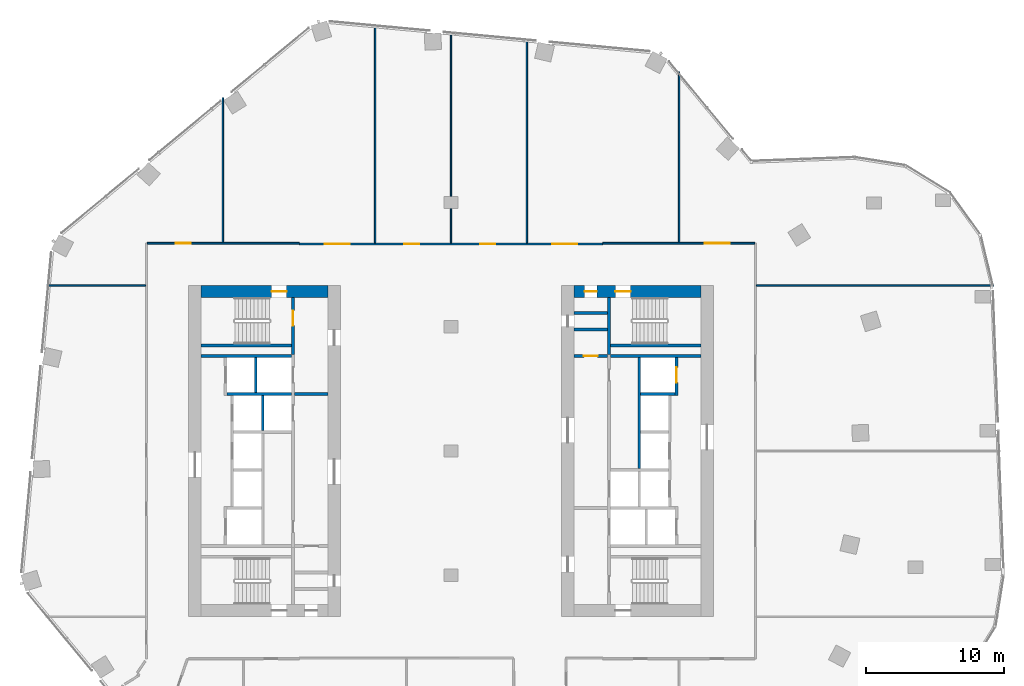
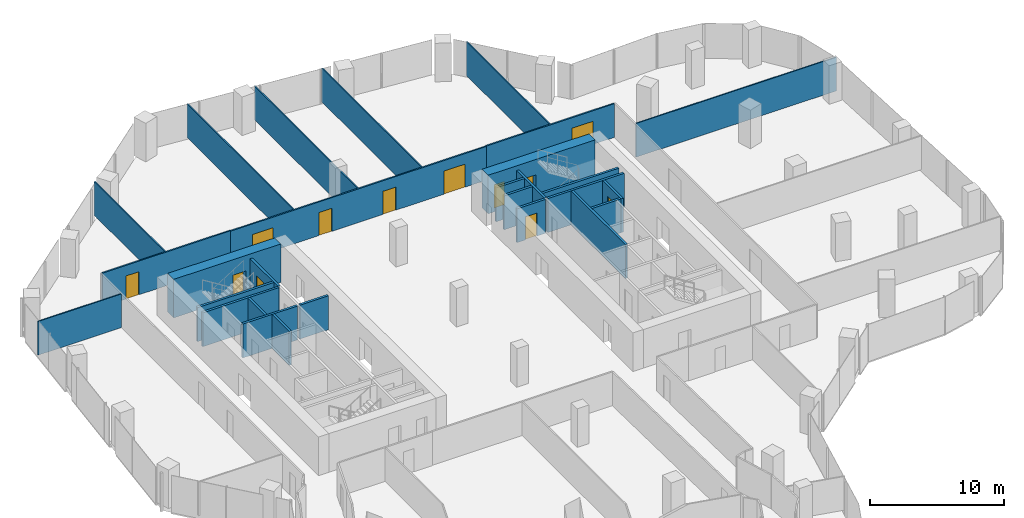
# One storey, part 22 of 24: 28 walls, 12 doors, 12 openings.
"""IFC4 building model written with IfcOpenShell, lengths in metres."""

import ifcopenshell
import ifcopenshell.guid

model = None  # the IFC model being written
_history = None  # IfcOwnerHistory: only IFC2X3 demands one
_inside = {}  # id of a spatial element -> (the spatial element, [elements in it])
_under = {}  # id of a project, library or spatial element -> (it, [spatial elements below it])
_declared = {}  # id of a project -> (the project, [libraries it declares])
_typed = {}  # id of a type object -> (the type object, [elements of that type])
_made_of = {}  # id of a material, layer set ... -> (it, [elements and type objects made of it])


def new_model(schema):
    """Start an empty IFC model of exactly this schema.

    Asked for "IFC4X3", IfcOpenShell would pick the latest addendum, in which some entities
    have other attributes; the version numbers below select the first issue.
    IFC2X3 requires an IfcOwnerHistory on every rooted entity: one is made here for all.
    """
    global model, _history
    if schema == "IFC4X3":
        model = ifcopenshell.file(schema_version=(4, 3, 0, 0))
    else:
        model = ifcopenshell.file(schema=schema)
    _inside.clear()
    _under.clear()
    _declared.clear()
    _typed.clear()
    _made_of.clear()
    _history = None
    if model.schema == "IFC2X3":
        org = make("IfcOrganization", Name="unknown")
        user = make(
            "IfcPersonAndOrganization",
            ThePerson=make("IfcPerson", FamilyName="unknown"),
            TheOrganization=org,
        )
        app = make(
            "IfcApplication",
            ApplicationDeveloper=org,
            Version="unknown",
            ApplicationFullName="unknown",
            ApplicationIdentifier="unknown",
        )
        _history = make(
            "IfcOwnerHistory",
            OwningUser=user,
            OwningApplication=app,
            ChangeAction="ADDED",
            CreationDate=0,
        )
    return model


def make(cls, **values):
    """One entity of the class cls with the attributes given. An attribute that is None is left unset."""
    return model.create_entity(
        cls, **{name: value for name, value in values.items() if value is not None}
    )


def rooted(cls, **values):
    """An entity with a GlobalId (a new one), such as an element, a storey or a relation."""
    return make(cls, GlobalId=ifcopenshell.guid.new(), OwnerHistory=_history, **values)


def si_unit(unit_type, name, prefix=None):
    """IfcSIUnit, for example si_unit("LENGTHUNIT", "METRE", prefix="MILLI")."""
    return make("IfcSIUnit", UnitType=unit_type, Prefix=prefix, Name=name)


def assignment(units):
    """IfcUnitAssignment: the units of a project."""
    return None if units is None else make("IfcUnitAssignment", Units=units)


def point(xyz):
    """IfcCartesianPoint."""
    return None if xyz is None else make("IfcCartesianPoint", Coordinates=xyz)


def direction(xyz):
    """IfcDirection."""
    return None if xyz is None else make("IfcDirection", DirectionRatios=xyz)


def frame(location, z_axis=None, x_axis=None):
    """IfcAxis2Placement3D, a coordinate frame: its origin and axes. An axis left out is left unset."""
    return make(
        "IfcAxis2Placement3D",
        Location=point(location),
        Axis=direction(z_axis),
        RefDirection=direction(x_axis),
    )


def frame_2d(location, x_axis=None):
    """IfcAxis2Placement2D, a coordinate frame in the plane: its origin and x axis."""
    return make(
        "IfcAxis2Placement2D", Location=point(location), RefDirection=direction(x_axis)
    )


def origin():
    """The frame at (0, 0, 0) with its axes left unset."""
    return frame((0.0, 0.0, 0.0))


def place(relative_to, where):
    """IfcLocalPlacement: puts the frame where relative to a parent placement (None: the world)."""
    return make(
        "IfcLocalPlacement", PlacementRelTo=relative_to, RelativePlacement=where
    )


def context(
    kind, dimensions, precision=None, world=None, true_north=None, identifier=None
):
    """IfcGeometricRepresentationContext, for example the 3D "Model" context."""
    return make(
        "IfcGeometricRepresentationContext",
        ContextIdentifier=identifier,
        ContextType=kind,
        CoordinateSpaceDimension=dimensions,
        Precision=precision,
        WorldCoordinateSystem=world,
        TrueNorth=true_north,
    )


def subcontext(parent, identifier, kind, view, scale=None):
    """IfcGeometricRepresentationSubContext, for example "Body" below "Model"."""
    return make(
        "IfcGeometricRepresentationSubContext",
        ContextIdentifier=identifier,
        ContextType=kind,
        ParentContext=parent,
        TargetScale=scale,
        TargetView=view,
    )


def project(units=None, contexts=None):
    """IfcProject with its units and contexts."""
    return rooted(
        "IfcProject",
        Name="project",
        RepresentationContexts=contexts,
        UnitsInContext=assignment(units),
    )


def spatial(cls, under=None, at=None, **own):
    """A site, building, storey or space (cls), placed at a placement, below another one or the project."""
    s = rooted(cls, ObjectPlacement=at, **own)
    if under is not None:
        _under.setdefault(under.id(), (under, []))[1].append(s)
    return s


def profile(cls, at=None, kind="AREA", **sizes):
    """A parametric profile (cls). Its sizes go by their IFC names, for example OverallWidth=200.0."""
    return make(cls, ProfileType=kind, Position=at, **sizes)


def rectangle(**sizes):
    """IfcRectangleProfileDef."""
    return profile("IfcRectangleProfileDef", **sizes)


def extrude(swept, where, along, depth):
    """IfcExtrudedAreaSolid: the profile swept, set in the frame where, extruded along a direction by depth."""
    return make(
        "IfcExtrudedAreaSolid",
        SweptArea=swept,
        Position=where,
        ExtrudedDirection=direction(along),
        Depth=depth,
    )


def shape(context_of_items, identifier, shape_type, items):
    """IfcShapeRepresentation: the items that make up one representation, for example the "Body"."""
    return make(
        "IfcShapeRepresentation",
        ContextOfItems=context_of_items,
        RepresentationIdentifier=identifier,
        RepresentationType=shape_type,
        Items=items,
    )


def material(Name=None, Category=None):
    """IfcMaterial."""
    return make("IfcMaterial", Name=Name, Category=Category)


def layer(
    of_material, thickness, ventilated=None, Name=None, Category=None, Priority=None
):
    """IfcMaterialLayer: one layer of a wall or slab, of a material (None: an air gap)."""
    return make(
        "IfcMaterialLayer",
        Material=of_material,
        LayerThickness=thickness,
        IsVentilated=ventilated,
        Name=Name,
        Category=Category,
        Priority=Priority,
    )


def layer_set(layers, Name=None):
    """IfcMaterialLayerSet."""
    return make("IfcMaterialLayerSet", MaterialLayers=layers, LayerSetName=Name)


def made_of(thing, what):
    """Note that an element or type object is made of a material, layer set ...; save() writes the relation."""
    if what is not None:
        _made_of.setdefault(what.id(), (what, []))[1].append(thing)
    return thing


def type_object(cls, material=None, **own):
    """A type object (cls), such as IfcWallType, which elements share."""
    return made_of(rooted(cls, **own), material)


def element(
    cls,
    number,
    at=None,
    inside=None,
    cuts=None,
    type_object=None,
    material=None,
    context=None,
    identifier="Body",
    shape_type=None,
    held_by="IfcProductDefinitionShape",
    body=None,
    shapes=None,
    **own,
):
    """One element of the class cls, such as IfcWall. Its Tag is "e" and its number.

    at: its placement. inside: the storey or other place that contains it. cuts: it is an
    opening in that element (IfcRelVoidsElement). A single representation is given by context,
    identifier, shape_type and body (its items); several are given by shapes. held_by: the class
    of the entity that holds the representations. save() writes the other relations.
    """
    e = rooted(cls, Tag="e%d" % number, ObjectPlacement=at, **own)
    if body is not None:
        shapes = [shape(context, identifier, shape_type, body)]
    if shapes is not None:
        e.Representation = make(held_by, Representations=shapes)
    if inside is not None:
        _inside.setdefault(inside.id(), (inside, []))[1].append(e)
    if cuts is not None:
        rooted(
            "IfcRelVoidsElement", RelatingBuildingElement=cuts, RelatedOpeningElement=e
        )
    if type_object is not None:
        _typed.setdefault(type_object.id(), (type_object, []))[1].append(e)
    return made_of(e, material)


def fill(opening, filler):
    """IfcRelFillsElement: the door or window that sits in an opening."""
    return rooted(
        "IfcRelFillsElement",
        RelatingOpeningElement=opening,
        RelatedBuildingElement=filler,
    )


def aggregate(whole, parts):
    """IfcRelAggregates: a whole, such as a stair, and the parts it consists of."""
    return rooted("IfcRelAggregates", RelatingObject=whole, RelatedObjects=parts)


def save(model, path):
    """Write the relations noted so far, then the file.

    IfcRelAggregates (storeys below a building ...), IfcRelContainedInSpatialStructure (elements
    in a storey), IfcRelDefinesByType, IfcRelAssociatesMaterial and IfcRelDeclares: one each for
    every whole, place, type object, material and project.
    """
    for whole, parts in _under.values():
        aggregate(whole, parts)
    for where, things in _inside.values():
        rooted(
            "IfcRelContainedInSpatialStructure",
            RelatedElements=things,
            RelatingStructure=where,
        )
    for kind, things in _typed.values():
        rooted("IfcRelDefinesByType", RelatedObjects=things, RelatingType=kind)
    for what, things in _made_of.values():
        rooted("IfcRelAssociatesMaterial", RelatedObjects=things, RelatingMaterial=what)
    for by, libraries in _declared.values():
        rooted("IfcRelDeclares", RelatingContext=by, RelatedDefinitions=libraries)
    model.write(path)


model = new_model("IFC4")

# Units and contexts
model_context = context("Model", 3, precision=1e-05, world=origin(), true_north=direction((0.0, 1.0)))
body_context = subcontext(model_context, "Body", "Model", "MODEL_VIEW")
ifc_project = project(units=[si_unit("LENGTHUNIT", "METRE"), si_unit("AREAUNIT", "SQUARE_METRE"), si_unit("VOLUMEUNIT", "CUBIC_METRE"), si_unit("PLANEANGLEUNIT", "RADIAN"), si_unit("MASSUNIT", "GRAM", prefix="KILO")], contexts=[model_context])

# Site, building, storey
site_placement = place(None, origin())
site = spatial("IfcSite", under=ifc_project, at=site_placement, CompositionType="ELEMENT")
building_placement = place(site_placement, origin())
building = spatial("IfcBuilding", under=site, at=building_placement, Name="Orlundy Tower", CompositionType="ELEMENT")
storey_placement = place(building_placement, frame((0.0, 0.0, 170.60009765625)))
storey = spatial("IfcBuildingStorey", under=building, at=storey_placement, Name="L44", CompositionType="ELEMENT", Elevation=170.60009765625)

# Wall, opening, door
ifc_material_1 = material(Name="Concrete C70/85", Category="concrete")
ifc_layer_1 = layer(ifc_material_1, 0.89990234375)
ifc_layer_set_1 = layer_set([ifc_layer_1], Name="CORE WALL 900 C70/85")
wall_type_1 = type_object("IfcWallType", Name="CORE WALL 900 C70/85", PredefinedType="SHEAR", material=ifc_layer_set_1)
wall_1_placement = place(storey_placement, frame((-18.10009765625, 11.550048828125, 0.0), z_axis=(0.0, 0.0, 1.0), x_axis=(1.0, 0.0, 0.0)))
wall_1 = element("IfcWall", 1, at=wall_1_placement, inside=storey, type_object=wall_type_1, Name="Core wall W-N L44", PredefinedType="SHEAR", context=body_context, shape_type="SweptSolid", body=[
    extrude(rectangle(XDim=9.2001953125, YDim=0.89990234375, at=frame_2d((4.60009765625, 0.0))), origin(), (0.0, 0.0, 1.0), 3.5),
])
opening_1_placement = place(wall_1_placement, frame((5.10009765625, 0.0, 0.0)))
opening_1 = element("IfcOpeningElement", 2, at=opening_1_placement, cuts=wall_1, Name="Opening 35011", PredefinedType="OPENING", context=body_context, shape_type="SweptSolid", body=[
    extrude(rectangle(XDim=1.10009765625, YDim=2.10009765625, at=frame_2d((0.550048828125, 1.050048828125))), frame((0.0, 0.4599609375, 0.0), z_axis=(0.0, -1.0, 0.0), x_axis=(1.0, 0.0, 0.0)), (0.0, 0.0, 1.0), 0.919921875),
])
ifc_material_2 = material(Name="Steel door set", Category="steel")
door_type_1 = type_object("IfcDoorType", Name="Stair Door 1100x2100", OperationType="SINGLE_SWING_LEFT", PredefinedType="DOOR", material=ifc_material_2)
door_1_placement = place(opening_1_placement, origin())
door_1 = element("IfcDoor", 3, at=door_1_placement, inside=storey, type_object=door_type_1, Name="Stair door 35011", OperationType="SINGLE_SWING_RIGHT", OverallHeight=2.10009765625, OverallWidth=1.10009765625, PredefinedType="DOOR", context=body_context, shape_type="SweptSolid", body=[
    extrude(rectangle(XDim=1.10009765625, YDim=2.10009765625, at=frame_2d((0.550048828125, 1.050048828125))), frame((0.0, 0.02490234375, 0.0), z_axis=(0.0, -1.0, 0.0), x_axis=(1.0, 0.0, 0.0)), (0.0, 0.0, 1.0), 0.050048828125),
])
fill(opening_1, door_1)

# Wall, openings, doors
wall_2_placement = place(storey_placement, frame((8.89990234375, 11.550048828125, 0.0), z_axis=(0.0, 0.0, 1.0), x_axis=(1.0, 0.0, 0.0)))
wall_2 = element("IfcWall", 4, at=wall_2_placement, inside=storey, type_object=wall_type_1, Name="Core wall E-N L44", PredefinedType="SHEAR", context=body_context, shape_type="SweptSolid", body=[
    extrude(rectangle(XDim=9.2001953125, YDim=0.89990234375, at=frame_2d((4.60009765625, 0.0))), origin(), (0.0, 0.0, 1.0), 3.5),
])
opening_2_placement = place(wall_2_placement, frame((3.0, 0.0, 0.0)))
opening_2 = element("IfcOpeningElement", 5, at=opening_2_placement, cuts=wall_2, Name="Opening 35061", PredefinedType="OPENING", context=body_context, shape_type="SweptSolid", body=[
    extrude(rectangle(XDim=1.10009765625, YDim=2.10009765625, at=frame_2d((0.550048828125, 1.050048828125))), frame((0.0, 0.4599609375, 0.0), z_axis=(0.0, -1.0, 0.0), x_axis=(1.0, 0.0, 0.0)), (0.0, 0.0, 1.0), 0.919921875),
])
opening_3_placement = place(wall_2_placement, frame((0.77001953125, 0.0, 0.0)))
opening_3 = element("IfcOpeningElement", 6, at=opening_3_placement, cuts=wall_2, Name="Opening 35063", PredefinedType="OPENING", context=body_context, shape_type="SweptSolid", body=[
    extrude(rectangle(XDim=0.89990234375, YDim=2.10009765625, at=frame_2d((0.449951171875, 1.050048828125))), frame((0.0, 0.4599609375, 0.0), z_axis=(0.0, -1.0, 0.0), x_axis=(1.0, 0.0, 0.0)), (0.0, 0.0, 1.0), 0.919921875),
])
ifc_material_3 = material(Name="Timber door set", Category="wood")
door_type_2 = type_object("IfcDoorType", Name="Room Door 900x2100", OperationType="SINGLE_SWING_LEFT", PredefinedType="DOOR", material=ifc_material_3)
door_2_placement = place(opening_3_placement, origin())
door_2 = element("IfcDoor", 7, at=door_2_placement, inside=storey, type_object=door_type_2, Name="Store door 35063", OperationType="SINGLE_SWING_LEFT", OverallHeight=2.10009765625, OverallWidth=0.89990234375, PredefinedType="DOOR", context=body_context, shape_type="SweptSolid", body=[
    extrude(rectangle(XDim=0.89990234375, YDim=2.10009765625, at=frame_2d((0.449951171875, 1.050048828125))), frame((0.0, 0.02490234375, 0.0), z_axis=(0.0, -1.0, 0.0), x_axis=(1.0, 0.0, 0.0)), (0.0, 0.0, 1.0), 0.050048828125),
])
fill(opening_3, door_2)
door_3_placement = place(opening_2_placement, origin())
door_3 = element("IfcDoor", 8, at=door_3_placement, inside=storey, type_object=door_type_1, Name="Stair door 35061", OperationType="SINGLE_SWING_LEFT", OverallHeight=2.10009765625, OverallWidth=1.10009765625, PredefinedType="DOOR", context=body_context, shape_type="SweptSolid", body=[
    extrude(rectangle(XDim=1.10009765625, YDim=2.10009765625, at=frame_2d((0.550048828125, 1.050048828125))), frame((0.0, 0.02490234375, 0.0), z_axis=(0.0, -1.0, 0.0), x_axis=(1.0, 0.0, 0.0)), (0.0, 0.0, 1.0), 0.050048828125),
])
fill(opening_2, door_3)

# Walls
ifc_material_4 = material(Name="Gypsum board partition")
ifc_layer_2 = layer(ifc_material_4, 0.10009765625)
ifc_layer_set_2 = layer_set([ifc_layer_2], Name="Floor partition 100")
wall_type_2 = type_object("IfcWallType", Name="Floor partition 100", PredefinedType="PARTITIONING", material=ifc_layer_set_2)
wall_3_placement = place(storey_placement, frame((-29.260986328125, 12.0, 0.0), z_axis=(0.0, 0.0, 1.0), x_axis=(1.0, 0.0, 0.0)))
element("IfcWall", 9, at=wall_3_placement, inside=storey, type_object=wall_type_2, Name="wall-int-L44-044", PredefinedType="PARTITIONING", context=body_context, shape_type="SweptSolid", body=[
    extrude(rectangle(XDim=7.14794921875, YDim=0.10009765625, at=frame_2d((3.573974609375, 0.0))), origin(), (0.0, 0.0, 1.0), 3.059814453125),
])
wall_4_placement = place(storey_placement, frame((22.113037109375, 12.0, 0.0), z_axis=(0.0, 0.0, 1.0), x_axis=(1.0, 0.0, 0.0)))
element("IfcWall", 10, at=wall_4_placement, inside=storey, type_object=wall_type_2, Name="wall-int-L44-045", PredefinedType="PARTITIONING", context=body_context, shape_type="SweptSolid", body=[
    extrude(rectangle(XDim=17.2119140625, YDim=0.10009765625, at=frame_2d((8.60595703125, 0.0))), origin(), (0.0, 0.0, 1.0), 3.059814453125),
])
wall_5_placement = place(storey_placement, frame((16.52099609375, 15.114013671875, 0.0), z_axis=(0.0, 0.0, 1.0), x_axis=(0.0, 1.0, 0.0)))
element("IfcWall", 11, at=wall_5_placement, inside=storey, type_object=wall_type_2, Name="wall-int-L44-072", PredefinedType="PARTITIONING", context=body_context, shape_type="SweptSolid", body=[
    extrude(rectangle(XDim=12.35205078125, YDim=0.10009765625, at=frame_2d((6.176025390625, 0.0))), origin(), (0.0, 0.0, 1.0), 3.059814453125),
])
wall_6_placement = place(storey_placement, frame((5.4951171875, 15.06298828125, 0.0), z_axis=(0.0, 0.0, 1.0), x_axis=(0.0, 1.0, 0.0)))
element("IfcWall", 12, at=wall_6_placement, inside=storey, type_object=wall_type_2, Name="wall-int-L44-074", PredefinedType="PARTITIONING", context=body_context, shape_type="SweptSolid", body=[
    extrude(rectangle(XDim=14.804931640625, YDim=0.10009765625, at=frame_2d((7.40234375, 0.0))), origin(), (0.0, 0.0, 1.0), 3.059814453125),
])
wall_7_placement = place(storey_placement, frame((0.0, 15.06298828125, 0.0), z_axis=(0.0, 0.0, 1.0), x_axis=(0.0, 1.0, 0.0)))
element("IfcWall", 13, at=wall_7_placement, inside=storey, type_object=wall_type_2, Name="wall-int-L44-076", PredefinedType="PARTITIONING", context=body_context, shape_type="SweptSolid", body=[
    extrude(rectangle(XDim=15.319091796875, YDim=0.10009765625, at=frame_2d((7.65966796875, 0.0))), origin(), (0.0, 0.0, 1.0), 3.059814453125),
])
wall_8_placement = place(storey_placement, frame((-5.4951171875, 15.06298828125, 0.0), z_axis=(0.0, 0.0, 1.0), x_axis=(0.0, 1.0, 0.0)))
element("IfcWall", 14, at=wall_8_placement, inside=storey, type_object=wall_type_2, Name="wall-int-L44-078", PredefinedType="PARTITIONING", context=body_context, shape_type="SweptSolid", body=[
    extrude(rectangle(XDim=15.83203125, YDim=0.10009765625, at=frame_2d((7.916015625, 0.0))), origin(), (0.0, 0.0, 1.0), 3.059814453125),
])
wall_9_placement = place(storey_placement, frame((-16.52001953125, 15.114013671875, 0.0), z_axis=(0.0, 0.0, 1.0), x_axis=(0.0, 1.0, 0.0)))
element("IfcWall", 15, at=wall_9_placement, inside=storey, type_object=wall_type_2, Name="wall-int-L44-081", PredefinedType="PARTITIONING", context=body_context, shape_type="SweptSolid", body=[
    extrude(rectangle(XDim=10.48388671875, YDim=0.10009765625, at=frame_2d((5.241943359375, 0.0))), origin(), (0.0, 0.0, 1.0), 3.059814453125),
])

# Wall, openings, doors
ifc_material_5 = material(Name="Gypsum board partition, double layer")
ifc_layer_3 = layer(ifc_material_5, 0.125)
ifc_layer_set_3 = layer_set([ifc_layer_3], Name="Floor partition 125")
wall_type_3 = type_object("IfcWallType", Name="Floor partition 125", PredefinedType="PARTITIONING", material=ifc_layer_set_3)
wall_10_placement = place(storey_placement, frame((-10.989990234375, 15.0009765625, 0.0), z_axis=(0.0, 0.0, 1.0), x_axis=(1.0, 0.0, 0.0)))
wall_10 = element("IfcWall", 16, at=wall_10_placement, inside=storey, type_object=wall_type_3, Name="wall-int-L44-046", PredefinedType="PARTITIONING", context=body_context, shape_type="SweptSolid", body=[
    extrude(rectangle(XDim=21.97998046875, YDim=0.125, at=frame_2d((10.989990234375, 0.0))), origin(), (0.0, 0.0, 1.0), 3.059814453125),
])
opening_4_placement = place(wall_10_placement, frame((18.3349609375, 0.0, 0.0)))
opening_4 = element("IfcOpeningElement", 17, at=opening_4_placement, cuts=wall_10, Name="Opening 35122", PredefinedType="OPENING", context=body_context, shape_type="SweptSolid", body=[
    extrude(rectangle(XDim=1.800048828125, YDim=2.10009765625, at=frame_2d((0.89990234375, 1.050048828125))), frame((0.0, 0.072509765625, 0.0), z_axis=(0.0, -1.0, 0.0), x_axis=(1.0, 0.0, 0.0)), (0.0, 0.0, 1.0), 0.14501953125),
])
opening_5_placement = place(wall_10_placement, frame((13.090087890625, 0.0, 0.0)))
opening_5 = element("IfcOpeningElement", 18, at=opening_5_placement, cuts=wall_10, Name="Opening 35123", PredefinedType="OPENING", context=body_context, shape_type="SweptSolid", body=[
    extrude(rectangle(XDim=1.10009765625, YDim=2.10009765625, at=frame_2d((0.550048828125, 1.050048828125))), frame((0.0, 0.072509765625, 0.0), z_axis=(0.0, -1.0, 0.0), x_axis=(1.0, 0.0, 0.0)), (0.0, 0.0, 1.0), 0.14501953125),
])
opening_6_placement = place(wall_10_placement, frame((7.594970703125, 0.0, 0.0)))
opening_6 = element("IfcOpeningElement", 19, at=opening_6_placement, cuts=wall_10, Name="Opening 35124", PredefinedType="OPENING", context=body_context, shape_type="SweptSolid", body=[
    extrude(rectangle(XDim=1.10009765625, YDim=2.10009765625, at=frame_2d((0.550048828125, 1.050048828125))), frame((0.0, 0.072509765625, 0.0), z_axis=(0.0, -1.0, 0.0), x_axis=(1.0, 0.0, 0.0)), (0.0, 0.0, 1.0), 0.14501953125),
])
opening_7_placement = place(wall_10_placement, frame((1.85009765625, 0.0, 0.0)))
opening_7 = element("IfcOpeningElement", 20, at=opening_7_placement, cuts=wall_10, Name="Opening 35125", PredefinedType="OPENING", context=body_context, shape_type="SweptSolid", body=[
    extrude(rectangle(XDim=1.800048828125, YDim=2.10009765625, at=frame_2d((0.89990234375, 1.050048828125))), frame((0.0, 0.072509765625, 0.0), z_axis=(0.0, -1.0, 0.0), x_axis=(1.0, 0.0, 0.0)), (0.0, 0.0, 1.0), 0.14501953125),
])
ifc_material_6 = material(Name="Timber door leaf", Category="wood")
door_type_3 = type_object("IfcDoorType", Name="Floor door double 1800 FD30S", OperationType="NOTDEFINED", PredefinedType="DOOR", material=ifc_material_6)
door_4_placement = place(opening_4_placement, origin())
door_4 = element("IfcDoor", 21, at=door_4_placement, inside=storey, type_object=door_type_3, Name="Door 35122", OperationType="DOUBLE_DOOR_SINGLE_SWING", OverallHeight=2.10009765625, OverallWidth=1.800048828125, PredefinedType="DOOR", context=body_context, shape_type="SweptSolid", body=[
    extrude(rectangle(XDim=1.800048828125, YDim=2.10009765625, at=frame_2d((0.89990234375, 1.050048828125))), frame((0.0, 0.02490234375, 0.0), z_axis=(0.0, -1.0, 0.0), x_axis=(1.0, 0.0, 0.0)), (0.0, 0.0, 1.0), 0.050048828125),
])
fill(opening_4, door_4)
door_5_placement = place(opening_7_placement, origin())
door_5 = element("IfcDoor", 22, at=door_5_placement, inside=storey, type_object=door_type_3, Name="Door 35125", OperationType="DOUBLE_DOOR_SINGLE_SWING", OverallHeight=2.10009765625, OverallWidth=1.800048828125, PredefinedType="DOOR", context=body_context, shape_type="SweptSolid", body=[
    extrude(rectangle(XDim=1.800048828125, YDim=2.10009765625, at=frame_2d((0.89990234375, 1.050048828125))), frame((0.0, 0.02490234375, 0.0), z_axis=(0.0, -1.0, 0.0), x_axis=(1.0, 0.0, 0.0)), (0.0, 0.0, 1.0), 0.050048828125),
])
fill(opening_7, door_5)
ifc_material_7 = material(Name="Timber door leaf", Category="wood")
door_type_4 = type_object("IfcDoorType", Name="Floor door xwide 1100 FD30S", OperationType="NOTDEFINED", PredefinedType="DOOR", material=ifc_material_7)
door_6_placement = place(opening_5_placement, origin())
door_6 = element("IfcDoor", 23, at=door_6_placement, inside=storey, type_object=door_type_4, Name="Door 35123", OperationType="SINGLE_SWING_RIGHT", OverallHeight=2.10009765625, OverallWidth=1.10009765625, PredefinedType="DOOR", context=body_context, shape_type="SweptSolid", body=[
    extrude(rectangle(XDim=1.10009765625, YDim=2.10009765625, at=frame_2d((0.550048828125, 1.050048828125))), frame((0.0, 0.02490234375, 0.0), z_axis=(0.0, -1.0, 0.0), x_axis=(1.0, 0.0, 0.0)), (0.0, 0.0, 1.0), 0.050048828125),
])
fill(opening_5, door_6)
door_7_placement = place(opening_6_placement, origin())
door_7 = element("IfcDoor", 24, at=door_7_placement, inside=storey, type_object=door_type_4, Name="Door 35124", OperationType="SINGLE_SWING_LEFT", OverallHeight=2.10009765625, OverallWidth=1.10009765625, PredefinedType="DOOR", context=body_context, shape_type="SweptSolid", body=[
    extrude(rectangle(XDim=1.10009765625, YDim=2.10009765625, at=frame_2d((0.550048828125, 1.050048828125))), frame((0.0, 0.02490234375, 0.0), z_axis=(0.0, -1.0, 0.0), x_axis=(1.0, 0.0, 0.0)), (0.0, 0.0, 1.0), 0.050048828125),
])
fill(opening_6, door_7)

# Wall, opening, door
wall_11_placement = place(storey_placement, frame((-21.988037109375, 15.051025390625, 0.0), z_axis=(0.0, 0.0, 1.0), x_axis=(1.0, 0.0, 0.0)))
wall_11 = element("IfcWall", 25, at=wall_11_placement, inside=storey, type_object=wall_type_3, Name="wall-int-L44-047", PredefinedType="PARTITIONING", context=body_context, shape_type="SweptSolid", body=[
    extrude(rectangle(XDim=10.9970703125, YDim=0.125, at=frame_2d((5.49853515625, 0.0))), origin(), (0.0, 0.0, 1.0), 3.059814453125),
])
opening_8_placement = place(wall_11_placement, frame((2.03759765625, 0.0, 0.0)))
opening_8 = element("IfcOpeningElement", 26, at=opening_8_placement, cuts=wall_11, Name="Opening 35126", PredefinedType="OPENING", context=body_context, shape_type="SweptSolid", body=[
    extrude(rectangle(XDim=1.10009765625, YDim=2.10009765625, at=frame_2d((0.550048828125, 1.050048828125))), frame((0.0, 0.072509765625, 0.0), z_axis=(0.0, -1.0, 0.0), x_axis=(1.0, 0.0, 0.0)), (0.0, 0.0, 1.0), 0.14501953125),
])
door_8_placement = place(opening_8_placement, origin())
door_8 = element("IfcDoor", 27, at=door_8_placement, inside=storey, type_object=door_type_4, Name="Door 35126", OperationType="SINGLE_SWING_LEFT", OverallHeight=2.10009765625, OverallWidth=1.10009765625, PredefinedType="DOOR", context=body_context, shape_type="SweptSolid", body=[
    extrude(rectangle(XDim=1.10009765625, YDim=2.10009765625, at=frame_2d((0.550048828125, 1.050048828125))), frame((0.0, 0.02490234375, 0.0), z_axis=(0.0, -1.0, 0.0), x_axis=(1.0, 0.0, 0.0)), (0.0, 0.0, 1.0), 0.050048828125),
])
fill(opening_8, door_8)

wall_12_placement = place(storey_placement, frame((10.990966796875, 15.051025390625, 0.0), z_axis=(0.0, 0.0, 1.0), x_axis=(1.0, 0.0, 0.0)))
wall_12 = element("IfcWall", 28, at=wall_12_placement, inside=storey, type_object=wall_type_3, Name="wall-int-L44-048", PredefinedType="PARTITIONING", context=body_context, shape_type="SweptSolid", body=[
    extrude(rectangle(XDim=10.9970703125, YDim=0.125, at=frame_2d((5.49853515625, 0.0))), origin(), (0.0, 0.0, 1.0), 3.059814453125),
])
opening_9_placement = place(wall_12_placement, frame((7.3798828125, 0.0, 0.0)))
opening_9 = element("IfcOpeningElement", 29, at=opening_9_placement, cuts=wall_12, Name="Opening 35121", PredefinedType="OPENING", context=body_context, shape_type="SweptSolid", body=[
    extrude(rectangle(XDim=1.800048828125, YDim=2.10009765625, at=frame_2d((0.89990234375, 1.050048828125))), frame((0.0, 0.072509765625, 0.0), z_axis=(0.0, -1.0, 0.0), x_axis=(1.0, 0.0, 0.0)), (0.0, 0.0, 1.0), 0.14501953125),
])
door_9_placement = place(opening_9_placement, origin())
door_9 = element("IfcDoor", 30, at=door_9_placement, inside=storey, type_object=door_type_3, Name="Door 35121", OperationType="DOUBLE_DOOR_SINGLE_SWING", OverallHeight=2.10009765625, OverallWidth=1.800048828125, PredefinedType="DOOR", context=body_context, shape_type="SweptSolid", body=[
    extrude(rectangle(XDim=1.800048828125, YDim=2.10009765625, at=frame_2d((0.89990234375, 1.050048828125))), frame((0.0, 0.02490234375, 0.0), z_axis=(0.0, -1.0, 0.0), x_axis=(1.0, 0.0, 0.0)), (0.0, 0.0, 1.0), 0.050048828125),
])
fill(opening_9, door_9)

ifc_material_8 = material(Name="Concrete C40/50", Category="concrete")
ifc_layer_4 = layer(ifc_material_8, 0.199951171875)
ifc_layer_set_4 = layer_set([ifc_layer_4], Name="Load-bearing Shaft Wall 200")
wall_type_4 = type_object("IfcWallType", Name="Load-bearing Shaft Wall 200", PredefinedType="SOLIDWALL", material=ifc_layer_set_4)
wall_13_placement = place(storey_placement, frame((-11.43994140625, 6.97509765625, 0.0), z_axis=(0.0, 0.0, 1.0), x_axis=(0.0, 1.0, 0.0)))
wall_13 = element("IfcWall", 31, at=wall_13_placement, inside=storey, type_object=wall_type_4, Name="Shaft wall W35-stair-end-n", PredefinedType="SOLIDWALL", context=body_context, shape_type="SweptSolid", body=[
    extrude(rectangle(XDim=4.125, YDim=0.199951171875, at=frame_2d((2.0625, 0.0))), origin(), (0.0, 0.0, 1.0), 3.079833984375),
])
opening_10_placement = place(wall_13_placement, frame((2.10009765625, 0.0, 0.0)))
opening_10 = element("IfcOpeningElement", 32, at=opening_10_placement, cuts=wall_13, Name="Opening 35013", PredefinedType="OPENING", context=body_context, shape_type="SweptSolid", body=[
    extrude(rectangle(XDim=1.10009765625, YDim=2.10009765625, at=frame_2d((0.550048828125, 1.050048828125))), frame((0.0, 0.110107421875, 0.0), z_axis=(0.0, -1.0, 0.0), x_axis=(1.0, 0.0, 0.0)), (0.0, 0.0, 1.0), 0.22021484375),
])
ifc_material_9 = material(Name="Steel door set", Category="steel")
door_type_5 = type_object("IfcDoorType", Name="Fire-fighting Lobby Door 1100x2100", OperationType="SINGLE_SWING_LEFT", PredefinedType="DOOR", material=ifc_material_9)
door_10_placement = place(opening_10_placement, origin())
door_10 = element("IfcDoor", 33, at=door_10_placement, inside=storey, type_object=door_type_5, Name="Fire-fighting lobby to stair door 35013", OperationType="SINGLE_SWING_RIGHT", OverallHeight=2.10009765625, OverallWidth=1.10009765625, PredefinedType="DOOR", context=body_context, shape_type="SweptSolid", body=[
    extrude(rectangle(XDim=1.10009765625, YDim=2.10009765625, at=frame_2d((0.550048828125, 1.050048828125))), frame((0.0, 0.02490234375, 0.0), z_axis=(0.0, -1.0, 0.0), x_axis=(1.0, 0.0, 0.0)), (0.0, 0.0, 1.0), 0.050048828125),
])
fill(opening_10, door_10)

# Walls
wall_14_placement = place(storey_placement, frame((-11.5400390625, 7.64990234375, 0.0), z_axis=(0.0, 0.0, 1.0), x_axis=(-1.0, 0.0, 0.0)))
element("IfcWall", 34, at=wall_14_placement, inside=storey, type_object=wall_type_4, Name="Shaft wall W35-stair-side-n", PredefinedType="SOLIDWALL", context=body_context, shape_type="SweptSolid", body=[
    extrude(rectangle(XDim=6.56005859375, YDim=0.199951171875, at=frame_2d((3.280029296875, 0.0))), origin(), (0.0, 0.0, 1.0), 3.079833984375),
])
wall_15_placement = place(storey_placement, frame((11.43994140625, 11.10009765625, 0.0), z_axis=(0.0, 0.0, 1.0), x_axis=(0.0, -1.0, 0.0)))
element("IfcWall", 35, at=wall_15_placement, inside=storey, type_object=wall_type_4, Name="Shaft wall E35-stair-end-s", PredefinedType="SOLIDWALL", context=body_context, shape_type="SweptSolid", body=[
    extrude(rectangle(XDim=4.125, YDim=0.199951171875, at=frame_2d((2.0625, 0.0))), origin(), (0.0, 0.0, 1.0), 3.079833984375),
])
wall_16_placement = place(storey_placement, frame((11.5400390625, 7.64990234375, 0.0), z_axis=(0.0, 0.0, 1.0), x_axis=(1.0, 0.0, 0.0)))
element("IfcWall", 36, at=wall_16_placement, inside=storey, type_object=wall_type_4, Name="Shaft wall E35-stair-side-s", PredefinedType="SOLIDWALL", context=body_context, shape_type="SweptSolid", body=[
    extrude(rectangle(XDim=6.56005859375, YDim=0.199951171875, at=frame_2d((3.280029296875, 0.0))), origin(), (0.0, 0.0, 1.0), 3.079833984375),
])
ifc_material_10 = material(Name="Gypsum board partition on steel studs", Category="steel")
ifc_layer_5 = layer(ifc_material_10, 0.199951171875)
ifc_layer_set_5 = layer_set([ifc_layer_5], Name="Partition 200")
wall_type_5 = type_object("IfcWallType", Name="Partition 200", PredefinedType="PARTITIONING", material=ifc_layer_set_5)
wall_17_placement = place(storey_placement, frame((-8.89990234375, 4.125, 0.0), z_axis=(0.0, 0.0, 1.0), x_axis=(-1.0, 0.0, 0.0)))
element("IfcWall", 37, at=wall_17_placement, inside=storey, type_object=wall_type_5, Name="Partition wall W35-lobby-n", PredefinedType="PARTITIONING", context=body_context, shape_type="SweptSolid", body=[
    extrude(rectangle(XDim=2.440185546875, YDim=0.199951171875, at=frame_2d((1.22021484375, 0.0))), origin(), (0.0, 0.0, 1.0), 3.079833984375),
])

# Wall, opening, door
wall_18_placement = place(storey_placement, frame((8.89990234375, 6.875, 0.0), z_axis=(0.0, 0.0, 1.0), x_axis=(1.0, 0.0, 0.0)))
wall_18 = element("IfcWall", 38, at=wall_18_placement, inside=storey, type_object=wall_type_5, Name="Partition wall E35-end-s", PredefinedType="PARTITIONING", context=body_context, shape_type="SweptSolid", body=[
    extrude(rectangle(XDim=2.440185546875, YDim=0.199951171875, at=frame_2d((1.22021484375, 0.0))), origin(), (0.0, 0.0, 1.0), 3.079833984375),
])
opening_11_placement = place(wall_18_placement, frame((0.719970703125, 0.0, 0.0)))
opening_11 = element("IfcOpeningElement", 39, at=opening_11_placement, cuts=wall_18, Name="Opening 35065", PredefinedType="OPENING", context=body_context, shape_type="SweptSolid", body=[
    extrude(rectangle(XDim=1.0, YDim=2.10009765625, at=frame_2d((0.5, 1.050048828125))), frame((0.0, 0.110107421875, 0.0), z_axis=(0.0, -1.0, 0.0), x_axis=(1.0, 0.0, 0.0)), (0.0, 0.0, 1.0), 0.22021484375),
])
ifc_material_11 = material(Name="Timber door set", Category="wood")
door_type_6 = type_object("IfcDoorType", Name="Accessible Door 1000x2100", OperationType="SINGLE_SWING_LEFT", PredefinedType="DOOR", material=ifc_material_11)
door_11_placement = place(opening_11_placement, origin())
door_11 = element("IfcDoor", 40, at=door_11_placement, inside=storey, type_object=door_type_6, Name="Accessible WC door 35065", OperationType="SINGLE_SWING_RIGHT", OverallHeight=2.10009765625, OverallWidth=1.0, PredefinedType="DOOR", context=body_context, shape_type="SweptSolid", body=[
    extrude(rectangle(XDim=1.0, YDim=2.10009765625, at=frame_2d((0.5, 1.050048828125))), frame((0.0, 0.02490234375, 0.0), z_axis=(0.0, -1.0, 0.0), x_axis=(1.0, 0.0, 0.0)), (0.0, 0.0, 1.0), 0.050048828125),
])
fill(opening_11, door_11)

# Walls
for number, where, z_axis, x_axis, name in (
    (41, (8.89990234375, 10.0, 0.0), (0.0, 0.0, 1.0), (1.0, 0.0, 0.0), "Partition wall E35-room-s0"),
    (42, (8.89990234375, 8.800048828125, 0.0), (0.0, 0.0, 1.0), (1.0, 0.0, 0.0), "Partition wall E35-room-s1"),
):
    element("IfcWall", number, at=place(storey_placement, frame(where, z_axis=z_axis, x_axis=x_axis)), inside=storey, type_object=wall_type_5, Name=name, PredefinedType="PARTITIONING", context=body_context, shape_type="SweptSolid", body=[
        extrude(rectangle(XDim=2.440185546875, YDim=0.199951171875, at=frame_2d((1.22021484375, 0.0))), origin(), (0.0, 0.0, 1.0), 3.079833984375),
    ])
ifc_material_12 = material(Name="Fire-rated blockwork shaft wall", Category="masonry")
ifc_layer_6 = layer(ifc_material_12, 0.199951171875)
ifc_layer_set_6 = layer_set([ifc_layer_6], Name="Shaft Wall 200")
wall_type_6 = type_object("IfcWallType", Name="Shaft Wall 200", PredefinedType="SOLIDWALL", material=ifc_layer_set_6)
wall_19_placement = place(storey_placement, frame((-11.5400390625, 6.875, 0.0), z_axis=(0.0, 0.0, 1.0), x_axis=(-1.0, 0.0, 0.0)))
element("IfcWall", 43, at=wall_19_placement, inside=storey, type_object=wall_type_6, Name="Shaft wall W35-zone-n", PredefinedType="SOLIDWALL", context=body_context, shape_type="SweptSolid", body=[
    extrude(rectangle(XDim=6.56005859375, YDim=0.199951171875, at=frame_2d((3.280029296875, 0.0))), origin(), (0.0, 0.0, 1.0), 3.079833984375),
])
wall_20_placement = place(storey_placement, frame((-11.5400390625, 4.125, 0.0), z_axis=(0.0, 0.0, 1.0), x_axis=(-1.0, 0.0, 0.0)))
element("IfcWall", 44, at=wall_20_placement, inside=storey, type_object=wall_type_6, Name="Shaft wall W35-cross+4.125", PredefinedType="SOLIDWALL", context=body_context, shape_type="SweptSolid", body=[
    extrude(rectangle(XDim=4.699951171875, YDim=0.199951171875, at=frame_2d((2.35009765625, 0.0))), origin(), (0.0, 0.0, 1.0), 3.079833984375),
])
for number, where, z_axis, x_axis, name in (
    (45, (-13.639892578125, 1.47509765625, 0.0), (0.0, 0.0, 1.0), (0.0, 1.0, 0.0), "Shaft wall W35-mid-a.1"),
    (46, (-14.139892578125, 4.22509765625, 0.0), (0.0, 0.0, 1.0), (0.0, 1.0, 0.0), "Shaft wall W35-mid-b"),
):
    element("IfcWall", number, at=place(storey_placement, frame(where, z_axis=z_axis, x_axis=x_axis)), inside=storey, type_object=wall_type_6, Name=name, PredefinedType="SOLIDWALL", context=body_context, shape_type="SweptSolid", body=[
        extrude(rectangle(XDim=2.5498046875, YDim=0.199951171875, at=frame_2d((1.27490234375, 0.0))), origin(), (0.0, 0.0, 1.0), 3.079833984375),
    ])
wall_21_placement = place(storey_placement, frame((11.5400390625, 6.875, 0.0), z_axis=(0.0, 0.0, 1.0), x_axis=(1.0, 0.0, 0.0)))
element("IfcWall", 47, at=wall_21_placement, inside=storey, type_object=wall_type_6, Name="Shaft wall E35-zone-s", PredefinedType="SOLIDWALL", context=body_context, shape_type="SweptSolid", body=[
    extrude(rectangle(XDim=6.56005859375, YDim=0.199951171875, at=frame_2d((3.280029296875, 0.0))), origin(), (0.0, 0.0, 1.0), 3.079833984375),
])
wall_22_placement = place(storey_placement, frame((13.739990234375, 4.125, 0.0), z_axis=(0.0, 0.0, 1.0), x_axis=(1.0, 0.0, 0.0)))
element("IfcWall", 48, at=wall_22_placement, inside=storey, type_object=wall_type_6, Name="Shaft wall E35-cross-4.125", PredefinedType="SOLIDWALL", context=body_context, shape_type="SweptSolid", body=[
    extrude(rectangle(XDim=2.5, YDim=0.199951171875, at=frame_2d((1.25, 0.0))), origin(), (0.0, 0.0, 1.0), 3.079833984375),
])
wall_23_placement = place(storey_placement, frame((13.639892578125, 6.77490234375, 0.0), z_axis=(0.0, 0.0, 1.0), x_axis=(0.0, -1.0, 0.0)))
element("IfcWall", 49, at=wall_23_placement, inside=storey, type_object=wall_type_6, Name="Shaft wall E35-mid-a", PredefinedType="SOLIDWALL", context=body_context, shape_type="SweptSolid", body=[
    extrude(rectangle(XDim=8.0498046875, YDim=0.199951171875, at=frame_2d((4.02490234375, 0.0))), origin(), (0.0, 0.0, 1.0), 3.079833984375),
])

# Wall, opening, door
wall_24_placement = place(storey_placement, frame((16.340087890625, 6.77490234375, 0.0), z_axis=(0.0, 0.0, 1.0), x_axis=(0.0, -1.0, 0.0)))
wall_24 = element("IfcWall", 50, at=wall_24_placement, inside=storey, type_object=wall_type_6, Name="Shaft wall E35-front-o-a", PredefinedType="SOLIDWALL", context=body_context, shape_type="SweptSolid", body=[
    extrude(rectangle(XDim=2.75, YDim=0.199951171875, at=frame_2d((1.375, 0.0))), origin(), (0.0, 0.0, 1.0), 3.079833984375),
])
opening_12_placement = place(wall_24_placement, frame((0.72509765625, 0.0, 0.0)))
opening_12 = element("IfcOpeningElement", 51, at=opening_12_placement, cuts=wall_24, Name="Opening 35050", PredefinedType="OPENING", context=body_context, shape_type="SweptSolid", body=[
    extrude(rectangle(XDim=1.10009765625, YDim=2.10009765625, at=frame_2d((0.550048828125, 1.050048828125))), frame((0.0, 0.110107421875, 0.0), z_axis=(0.0, -1.0, 0.0), x_axis=(1.0, 0.0, 0.0)), (0.0, 0.0, 1.0), 0.22021484375),
])
ifc_material_13 = material(Name="Steel door set", Category="steel")
door_type_7 = type_object("IfcDoorType", Name="Landing Door 1100x2100", OperationType="DOUBLE_DOOR_SLIDING", PredefinedType="DOOR", material=ifc_material_13)
door_12_placement = place(opening_12_placement, origin())
door_12 = element("IfcDoor", 52, at=door_12_placement, inside=storey, type_object=door_type_7, Name="Lift landing door LV-02 35050", OperationType="DOUBLE_DOOR_SLIDING", OverallHeight=2.10009765625, OverallWidth=1.10009765625, PredefinedType="DOOR", context=body_context, shape_type="SweptSolid", body=[
    extrude(rectangle(XDim=1.10009765625, YDim=2.10009765625, at=frame_2d((0.550048828125, 1.050048828125))), frame((0.0, 0.02490234375, 0.0), z_axis=(0.0, -1.0, 0.0), x_axis=(1.0, 0.0, 0.0)), (0.0, 0.0, 1.0), 0.050048828125),
])
fill(opening_12, door_12)

save(model, "model.ifc")
